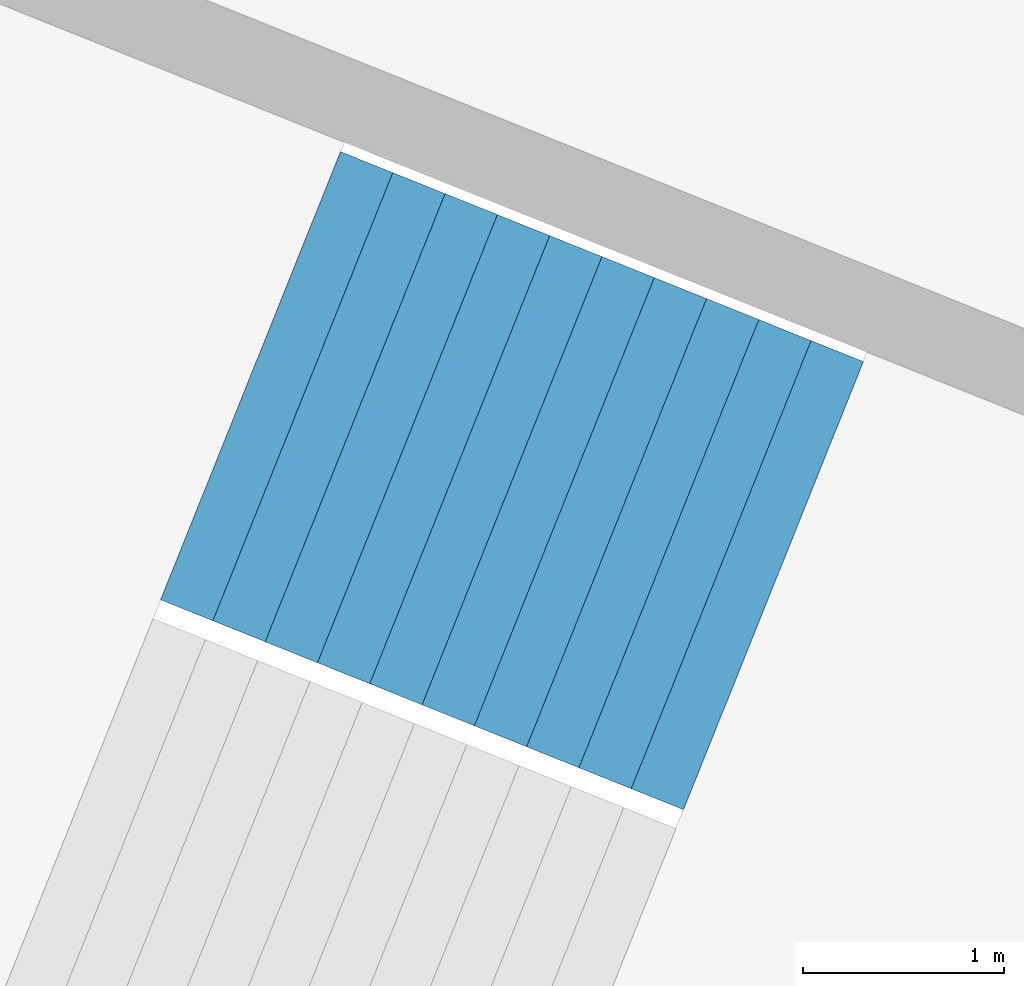
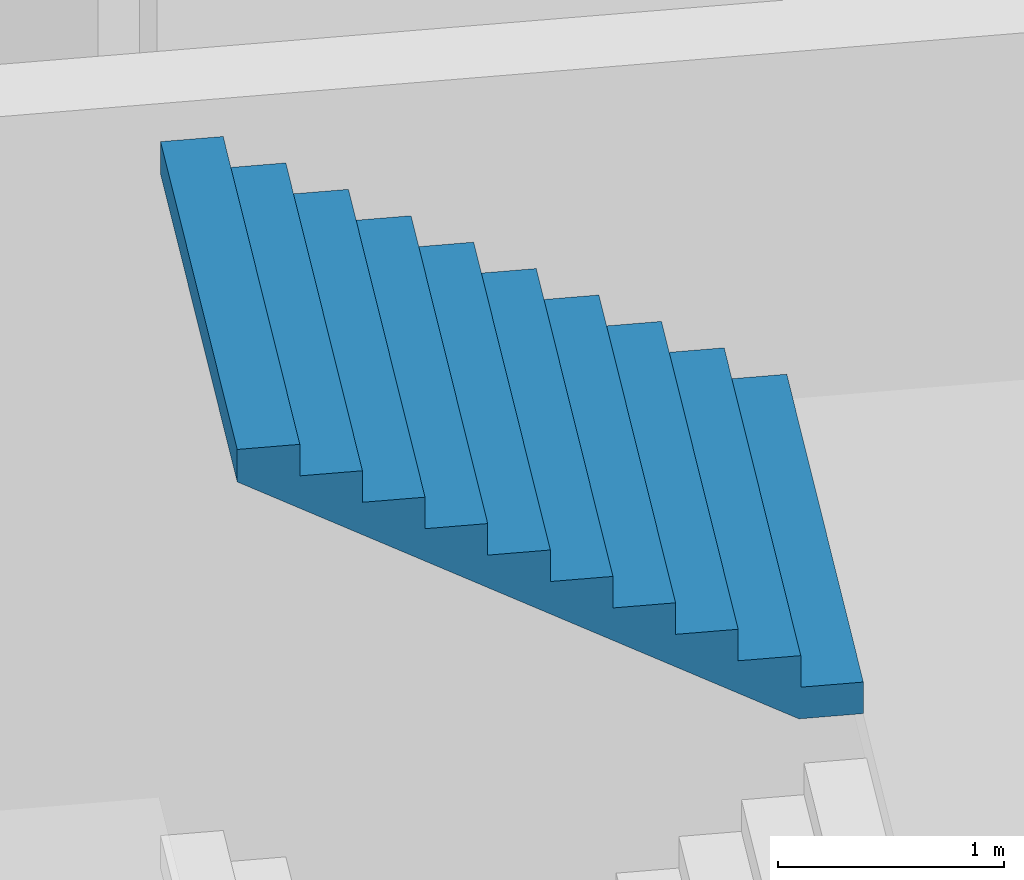
# One storey, part 52 of 73: 1 stair flight, 1 element without a shape of its own.
"""IFC4 building model written with IfcOpenShell, lengths in metres."""

from ifc_helpers import new_model, si_unit, direction, frame, origin, place, context, subcontext, project, spatial, triangles, material, type_object, element, aggregate, save


model = new_model("IFC4")

# Units and contexts
model_context = context("Model", 3, precision=1e-05, world=origin(), true_north=direction((0.0, 1.0)))
body_context = subcontext(model_context, "Body", "Model", "MODEL_VIEW")
ifc_project = project(units=[si_unit("LENGTHUNIT", "METRE"), si_unit("AREAUNIT", "SQUARE_METRE"), si_unit("VOLUMEUNIT", "CUBIC_METRE"), si_unit("PLANEANGLEUNIT", "RADIAN"), si_unit("MASSUNIT", "GRAM", prefix="KILO")], contexts=[model_context])

# Site, building, storey
site_placement = place(None, origin())
site = spatial("IfcSite", under=ifc_project, at=site_placement, CompositionType="ELEMENT")
building_placement = place(site_placement, origin())
building = spatial("IfcBuilding", under=site, at=building_placement, Name="Lantaw Convention Tower", CompositionType="ELEMENT")
storey_placement = place(building_placement, frame((0.0, 0.0, 14.5)))
storey = spatial("IfcBuildingStorey", under=building, at=storey_placement, Name="L02", CompositionType="ELEMENT", Elevation=14.5)

# Stair, stair flight
ifc_material = material(Name="Concrete C35/45", Category="concrete")
stair_type = type_object("IfcStairType", Name="Exit stair 2400 riser 170.45 in 4 flights", PredefinedType="HALF_TURN_STAIR", material=ifc_material)
stair_placement = place(storey_placement, origin())
stair = element("IfcStair", 1, at=stair_placement, inside=storey, type_object=stair_type, Name="Podium exit stair P12 L02", PredefinedType="HALF_TURN_STAIR")
stair_flight_type = type_object("IfcStairFlightType", Name="Stair flight 2400 riser 170.45", PredefinedType="STRAIGHT", material=ifc_material)
stair_flight_placement = place(storey_placement, frame((32.6162109375, -11.746337890625, 5.625), z_axis=(0.0, 0.0, 1.0), x_axis=(-0.928015818512, 0.372540790506, 0.0)))
stair_flight = element("IfcStairFlight", 2, at=stair_flight_placement, type_object=stair_flight_type, Name="P12 flight 4", NumberOfRisers=11, NumberOfTreads=10, PredefinedType="STRAIGHT", RiserHeight=0.170454545, TreadLength=0.28, context=body_context, shape_type="Tessellation", body=[
    triangles([(0.0, 1.199951171875, 0.0), (0.0, 1.199951171875, 0.170454545), (0.28, 1.199951171875, 0.0), (0.28, 1.199951171875, 0.170454545), (0.28, 1.199951171875, 0.34090909), (0.28827876332691904, 1.199951171875, 0.0), (0.28827876332691904, 1.199951171875, 0.34090909), (0.56, 1.199951171875, 0.16541471344266906), (0.56, 1.199951171875, 0.34090909), (0.56, 1.199951171875, 0.511363635), (0.8400000000000001, 1.199951171875, 0.335869258442669), (0.8400000000000001, 1.199951171875, 0.511363635), (0.8400000000000001, 1.199951171875, 0.68181818), (1.12, 1.199951171875, 0.506323803442669), (1.12, 1.199951171875, 0.68181818), (1.12, 1.199951171875, 0.8522727250000001), (1.4000000000000001, 1.199951171875, 0.676778348442669), (1.4000000000000001, 1.199951171875, 0.8522727250000001), (1.4000000000000001, 1.199951171875, 1.02272727), (1.6800000000000002, 1.199951171875, 0.847232893442669), (1.6800000000000002, 1.199951171875, 1.02272727), (1.6800000000000002, 1.199951171875, 1.193181815), (1.9600000000000002, 1.199951171875, 1.017687438442669), (1.9600000000000002, 1.199951171875, 1.193181815), (1.9600000000000002, 1.199951171875, 1.36363636), (2.24, 1.199951171875, 1.188141983442669), (2.24, 1.199951171875, 1.36363636), (2.24, 1.199951171875, 1.5340909050000002), (2.5200000000000005, 1.199951171875, 1.358596528442669), (2.5200000000000005, 1.199951171875, 1.5340909050000002), (2.5200000000000005, 1.199951171875, 1.7045454500000001), (2.8000000000000003, 1.199951171875, 1.529051073442669), (2.8000000000000003, 1.199951171875, 1.7045454500000001), (0.0, -1.199951171875, 0.0), (0.0, -1.199951171875, 0.170454545), (0.28, -1.199951171875, 0.0), (0.28, -1.199951171875, 0.170454545), (0.28, -1.199951171875, 0.34090909), (0.28827876332691904, -1.199951171875, 0.0), (0.28827876332691904, -1.199951171875, 0.34090909), (0.56, -1.199951171875, 0.16541471344266906), (0.56, -1.199951171875, 0.34090909), (0.56, -1.199951171875, 0.511363635), (0.8400000000000001, -1.199951171875, 0.335869258442669), (0.8400000000000001, -1.199951171875, 0.511363635), (0.8400000000000001, -1.199951171875, 0.68181818), (1.12, -1.199951171875, 0.506323803442669), (1.12, -1.199951171875, 0.68181818), (1.12, -1.199951171875, 0.8522727250000001), (1.4000000000000001, -1.199951171875, 0.676778348442669), (1.4000000000000001, -1.199951171875, 0.8522727250000001), (1.4000000000000001, -1.199951171875, 1.02272727), (1.6800000000000002, -1.199951171875, 0.847232893442669), (1.6800000000000002, -1.199951171875, 1.02272727), (1.6800000000000002, -1.199951171875, 1.193181815), (1.9600000000000002, -1.199951171875, 1.017687438442669), (1.9600000000000002, -1.199951171875, 1.193181815), (1.9600000000000002, -1.199951171875, 1.36363636), (2.24, -1.199951171875, 1.188141983442669), (2.24, -1.199951171875, 1.36363636), (2.24, -1.199951171875, 1.5340909050000002), (2.5200000000000005, -1.199951171875, 1.358596528442669), (2.5200000000000005, -1.199951171875, 1.5340909050000002), (2.5200000000000005, -1.199951171875, 1.7045454500000001), (2.8000000000000003, -1.199951171875, 1.529051073442669), (2.8000000000000003, -1.199951171875, 1.7045454500000001), (0.0, 0.239990234375, 0.170454545), (0.0, 0.239990234375, 0.0), (0.0, 0.1199951171875, 0.170454545), (0.0, 0.1199951171875, 0.0), (0.0, 0.0, 0.170454545), (0.0, 0.0, 0.0), (0.0, -0.1199951171875, 0.170454545), (0.0, -0.1199951171875, 0.0), (0.0, -0.239990234375, 0.170454545), (0.0, -0.239990234375, 0.0), (0.28, 0.239990234375, 0.34090909), (0.28, 0.239990234375, 0.170454545), (0.28, 0.1199951171875, 0.34090909), (0.28, 0.1199951171875, 0.170454545), (0.28, 0.0, 0.34090909), (0.28, 0.0, 0.170454545), (0.28, -0.1199951171875, 0.34090909), (0.28, -0.1199951171875, 0.170454545), (0.28, -0.239990234375, 0.34090909), (0.28, -0.239990234375, 0.170454545), (0.56, 0.239990234375, 0.511363635), (0.56, 0.239990234375, 0.34090909), (0.56, 0.1199951171875, 0.511363635), (0.56, 0.1199951171875, 0.34090909), (0.56, 0.0, 0.511363635), (0.56, 0.0, 0.34090909), (0.56, -0.1199951171875, 0.511363635), (0.56, -0.1199951171875, 0.34090909), (0.56, -0.239990234375, 0.511363635), (0.56, -0.239990234375, 0.34090909), (0.8400000000000001, 0.239990234375, 0.68181818), (0.8400000000000001, 0.239990234375, 0.511363635), (0.8400000000000001, 0.1199951171875, 0.68181818), (0.8400000000000001, 0.1199951171875, 0.511363635), (0.8400000000000001, 0.0, 0.68181818), (0.8400000000000001, 0.0, 0.511363635), (0.8400000000000001, -0.1199951171875, 0.68181818), (0.8400000000000001, -0.1199951171875, 0.511363635), (0.8400000000000001, -0.239990234375, 0.68181818), (0.8400000000000001, -0.239990234375, 0.511363635), (1.12, 0.239990234375, 0.8522727250000001), (1.12, 0.239990234375, 0.68181818), (1.12, 0.1199951171875, 0.8522727250000001), (1.12, 0.1199951171875, 0.68181818), (1.12, 0.0, 0.8522727250000001), (1.12, 0.0, 0.68181818), (1.12, -0.1199951171875, 0.8522727250000001), (1.12, -0.1199951171875, 0.68181818), (1.12, -0.239990234375, 0.8522727250000001), (1.12, -0.239990234375, 0.68181818), (1.4000000000000001, 0.239990234375, 1.02272727), (1.4000000000000001, 0.239990234375, 0.8522727250000001), (1.4000000000000001, 0.1199951171875, 1.02272727), (1.4000000000000001, 0.1199951171875, 0.8522727250000001), (1.4000000000000001, 0.0, 1.02272727), (1.4000000000000001, 0.0, 0.8522727250000001), (1.4000000000000001, -0.1199951171875, 1.02272727), (1.4000000000000001, -0.1199951171875, 0.8522727250000001), (1.4000000000000001, -0.239990234375, 1.02272727), (1.4000000000000001, -0.239990234375, 0.8522727250000001), (1.6800000000000002, 0.239990234375, 1.193181815), (1.6800000000000002, 0.239990234375, 1.02272727), (1.6800000000000002, 0.1199951171875, 1.193181815), (1.6800000000000002, 0.1199951171875, 1.02272727), (1.6800000000000002, 0.0, 1.193181815), (1.6800000000000002, 0.0, 1.02272727), (1.6800000000000002, -0.1199951171875, 1.193181815), (1.6800000000000002, -0.1199951171875, 1.02272727), (1.6800000000000002, -0.239990234375, 1.193181815), (1.6800000000000002, -0.239990234375, 1.02272727), (1.9600000000000002, 0.239990234375, 1.36363636), (1.9600000000000002, 0.239990234375, 1.193181815), (1.9600000000000002, 0.1199951171875, 1.36363636), (1.9600000000000002, 0.1199951171875, 1.193181815), (1.9600000000000002, 0.0, 1.36363636), (1.9600000000000002, 0.0, 1.193181815), (1.9600000000000002, -0.1199951171875, 1.36363636), (1.9600000000000002, -0.1199951171875, 1.193181815), (1.9600000000000002, -0.239990234375, 1.36363636), (1.9600000000000002, -0.239990234375, 1.193181815), (2.24, 0.239990234375, 1.5340909050000002), (2.24, 0.239990234375, 1.36363636), (2.24, 0.1199951171875, 1.5340909050000002), (2.24, 0.1199951171875, 1.36363636), (2.24, 0.0, 1.5340909050000002), (2.24, 0.0, 1.36363636), (2.24, -0.1199951171875, 1.5340909050000002), (2.24, -0.1199951171875, 1.36363636), (2.24, -0.239990234375, 1.5340909050000002), (2.24, -0.239990234375, 1.36363636), (2.5200000000000005, 0.239990234375, 1.7045454500000001), (2.5200000000000005, 0.239990234375, 1.5340909050000002), (2.5200000000000005, 0.1199951171875, 1.7045454500000001), (2.5200000000000005, 0.1199951171875, 1.5340909050000002), (2.5200000000000005, 0.0, 1.7045454500000001), (2.5200000000000005, 0.0, 1.5340909050000002), (2.5200000000000005, -0.1199951171875, 1.7045454500000001), (2.5200000000000005, -0.1199951171875, 1.5340909050000002), (2.5200000000000005, -0.239990234375, 1.7045454500000001), (2.5200000000000005, -0.239990234375, 1.5340909050000002), (0.28827876332691904, 0.239990234375, 0.34090909), (0.28827876332691904, 0.1199951171875, 0.34090909), (0.28827876332691904, 0.0, 0.34090909), (0.28827876332691904, -0.1199951171875, 0.34090909), (0.28827876332691904, -0.239990234375, 0.34090909), (2.8000000000000003, 0.239990234375, 1.7045454500000001), (2.8000000000000003, 0.1199951171875, 1.7045454500000001), (2.8000000000000003, 0.0, 1.7045454500000001), (2.8000000000000003, -0.1199951171875, 1.7045454500000001), (2.8000000000000003, -0.239990234375, 1.7045454500000001), (2.8000000000000003, 0.239990234375, 1.5290510734426692), (2.8000000000000003, 0.1199951171875, 1.5290510734426692), (2.8000000000000003, 0.0, 1.5290510734426692), (2.8000000000000003, -0.1199951171875, 1.5290510734426692), (2.8000000000000003, -0.239990234375, 1.5290510734426692), (2.5200000000000005, 0.239990234375, 1.358596528442669), (2.5200000000000005, 0.1199951171875, 1.358596528442669), (2.5200000000000005, 0.0, 1.358596528442669), (2.5200000000000005, -0.1199951171875, 1.358596528442669), (2.5200000000000005, -0.239990234375, 1.358596528442669), (2.24, 0.239990234375, 1.188141983442669), (2.24, 0.1199951171875, 1.188141983442669), (2.24, 0.0, 1.188141983442669), (2.24, -0.1199951171875, 1.188141983442669), (2.24, -0.239990234375, 1.188141983442669), (1.9600000000000002, 0.239990234375, 1.017687438442669), (1.9600000000000002, 0.1199951171875, 1.017687438442669), (1.9600000000000002, 0.0, 1.017687438442669), (1.9600000000000002, -0.1199951171875, 1.017687438442669), (1.9600000000000002, -0.239990234375, 1.017687438442669), (1.6800000000000002, 0.239990234375, 0.847232893442669), (1.6800000000000002, 0.1199951171875, 0.847232893442669), (1.6800000000000002, 0.0, 0.847232893442669), (1.6800000000000002, -0.1199951171875, 0.847232893442669), (1.6800000000000002, -0.239990234375, 0.847232893442669), (1.4000000000000001, 0.239990234375, 0.676778348442669), (1.4000000000000001, 0.1199951171875, 0.676778348442669), (1.4000000000000001, 0.0, 0.676778348442669), (1.4000000000000001, -0.1199951171875, 0.676778348442669), (1.4000000000000001, -0.239990234375, 0.676778348442669), (1.12, 0.239990234375, 0.506323803442669), (1.12, 0.1199951171875, 0.506323803442669), (1.12, 0.0, 0.506323803442669), (1.12, -0.1199951171875, 0.506323803442669), (1.12, -0.239990234375, 0.506323803442669), (0.8400000000000001, 0.239990234375, 0.335869258442669), (0.8400000000000001, 0.1199951171875, 0.335869258442669), (0.8400000000000001, 0.0, 0.335869258442669), (0.8400000000000001, -0.1199951171875, 0.335869258442669), (0.8400000000000001, -0.239990234375, 0.335869258442669), (0.56, 0.239990234375, 0.16541471344266906), (0.56, 0.1199951171875, 0.16541471344266906), (0.56, 0.0, 0.16541471344266906), (0.56, -0.1199951171875, 0.16541471344266906), (0.56, -0.239990234375, 0.16541471344266906), (0.28827876332691904, 0.239990234375, 0.0), (0.28827876332691904, 0.1199951171875, 0.0), (0.28827876332691904, 0.0, 0.0), (0.28827876332691904, -0.1199951171875, 0.0), (0.28827876332691904, -0.239990234375, 0.0), (0.28, 0.239990234375, 0.0), (0.28, 0.1199951171875, 0.0), (0.28, 0.0, 0.0), (0.28, -0.1199951171875, 0.0), (0.28, -0.239990234375, 0.0)], [[1, 4, 3], [1, 2, 4], [3, 4, 6], [4, 7, 6], [4, 5, 7], [6, 9, 8], [6, 7, 9], [8, 9, 11], [9, 12, 11], [9, 10, 12], [11, 12, 14], [12, 15, 14], [12, 13, 15], [14, 15, 17], [15, 18, 17], [15, 16, 18], [17, 18, 20], [18, 21, 20], [18, 19, 21], [20, 21, 23], [21, 24, 23], [21, 22, 24], [23, 24, 26], [24, 27, 26], [24, 25, 27], [26, 27, 29], [27, 30, 29], [27, 28, 30], [29, 30, 32], [30, 33, 32], [30, 31, 33], [34, 36, 37], [34, 37, 35], [36, 39, 37], [37, 39, 40], [37, 40, 38], [39, 41, 42], [39, 42, 40], [41, 44, 42], [42, 44, 45], [42, 45, 43], [44, 47, 45], [45, 47, 48], [45, 48, 46], [47, 50, 48], [48, 50, 51], [48, 51, 49], [50, 53, 51], [51, 53, 54], [51, 54, 52], [53, 56, 54], [54, 56, 57], [54, 57, 55], [56, 59, 57], [57, 59, 60], [57, 60, 58], [59, 62, 60], [60, 62, 63], [60, 63, 61], [62, 65, 63], [63, 65, 66], [63, 66, 64], [1, 67, 2], [1, 68, 67], [68, 69, 67], [68, 70, 69], [70, 71, 69], [70, 72, 71], [72, 73, 71], [72, 74, 73], [74, 75, 73], [74, 76, 75], [76, 35, 75], [76, 34, 35], [4, 77, 5], [4, 78, 77], [78, 79, 77], [78, 80, 79], [80, 81, 79], [80, 82, 81], [82, 83, 81], [82, 84, 83], [84, 85, 83], [84, 86, 85], [86, 38, 85], [86, 37, 38], [9, 87, 10], [9, 88, 87], [88, 89, 87], [88, 90, 89], [90, 91, 89], [90, 92, 91], [92, 93, 91], [92, 94, 93], [94, 95, 93], [94, 96, 95], [96, 43, 95], [96, 42, 43], [12, 97, 13], [12, 98, 97], [98, 99, 97], [98, 100, 99], [100, 101, 99], [100, 102, 101], [102, 103, 101], [102, 104, 103], [104, 105, 103], [104, 106, 105], [106, 46, 105], [106, 45, 46], [15, 107, 16], [15, 108, 107], [108, 109, 107], [108, 110, 109], [110, 111, 109], [110, 112, 111], [112, 113, 111], [112, 114, 113], [114, 115, 113], [114, 116, 115], [116, 49, 115], [116, 48, 49], [18, 117, 19], [18, 118, 117], [118, 119, 117], [118, 120, 119], [120, 121, 119], [120, 122, 121], [122, 123, 121], [122, 124, 123], [124, 125, 123], [124, 126, 125], [126, 52, 125], [126, 51, 52], [21, 127, 22], [21, 128, 127], [128, 129, 127], [128, 130, 129], [130, 131, 129], [130, 132, 131], [132, 133, 131], [132, 134, 133], [134, 135, 133], [134, 136, 135], [136, 55, 135], [136, 54, 55], [24, 137, 25], [24, 138, 137], [138, 139, 137], [138, 140, 139], [140, 141, 139], [140, 142, 141], [142, 143, 141], [142, 144, 143], [144, 145, 143], [144, 146, 145], [146, 58, 145], [146, 57, 58], [27, 147, 28], [27, 148, 147], [148, 149, 147], [148, 150, 149], [150, 151, 149], [150, 152, 151], [152, 153, 151], [152, 154, 153], [154, 155, 153], [154, 156, 155], [156, 61, 155], [156, 60, 61], [30, 157, 31], [30, 158, 157], [158, 159, 157], [158, 160, 159], [160, 161, 159], [160, 162, 161], [162, 163, 161], [162, 164, 163], [164, 165, 163], [164, 166, 165], [166, 64, 165], [166, 63, 64], [2, 78, 4], [2, 67, 78], [67, 80, 78], [67, 69, 80], [69, 82, 80], [69, 71, 82], [71, 84, 82], [71, 73, 84], [73, 86, 84], [73, 75, 86], [75, 37, 86], [75, 35, 37], [5, 167, 7], [5, 77, 167], [77, 168, 167], [77, 79, 168], [79, 169, 168], [79, 81, 169], [81, 170, 169], [81, 83, 170], [83, 171, 170], [83, 85, 171], [85, 40, 171], [85, 38, 40], [7, 88, 9], [7, 167, 88], [167, 90, 88], [167, 168, 90], [168, 92, 90], [168, 169, 92], [169, 94, 92], [169, 170, 94], [170, 96, 94], [170, 171, 96], [171, 42, 96], [171, 40, 42], [10, 98, 12], [10, 87, 98], [87, 100, 98], [87, 89, 100], [89, 102, 100], [89, 91, 102], [91, 104, 102], [91, 93, 104], [93, 106, 104], [93, 95, 106], [95, 45, 106], [95, 43, 45], [13, 108, 15], [13, 97, 108], [97, 110, 108], [97, 99, 110], [99, 112, 110], [99, 101, 112], [101, 114, 112], [101, 103, 114], [103, 116, 114], [103, 105, 116], [105, 48, 116], [105, 46, 48], [16, 118, 18], [16, 107, 118], [107, 120, 118], [107, 109, 120], [109, 122, 120], [109, 111, 122], [111, 124, 122], [111, 113, 124], [113, 126, 124], [113, 115, 126], [115, 51, 126], [115, 49, 51], [19, 128, 21], [19, 117, 128], [117, 130, 128], [117, 119, 130], [119, 132, 130], [119, 121, 132], [121, 134, 132], [121, 123, 134], [123, 136, 134], [123, 125, 136], [125, 54, 136], [125, 52, 54], [22, 138, 24], [22, 127, 138], [127, 140, 138], [127, 129, 140], [129, 142, 140], [129, 131, 142], [131, 144, 142], [131, 133, 144], [133, 146, 144], [133, 135, 146], [135, 57, 146], [135, 55, 57], [25, 148, 27], [25, 137, 148], [137, 150, 148], [137, 139, 150], [139, 152, 150], [139, 141, 152], [141, 154, 152], [141, 143, 154], [143, 156, 154], [143, 145, 156], [145, 60, 156], [145, 58, 60], [28, 158, 30], [28, 147, 158], [147, 160, 158], [147, 149, 160], [149, 162, 160], [149, 151, 162], [151, 164, 162], [151, 153, 164], [153, 166, 164], [153, 155, 166], [155, 63, 166], [155, 61, 63], [31, 172, 33], [31, 157, 172], [157, 173, 172], [157, 159, 173], [159, 174, 173], [159, 161, 174], [161, 175, 174], [161, 163, 175], [163, 176, 175], [163, 165, 176], [165, 66, 176], [165, 64, 66], [33, 177, 32], [33, 172, 177], [172, 178, 177], [172, 173, 178], [173, 179, 178], [173, 174, 179], [174, 180, 179], [174, 175, 180], [175, 181, 180], [175, 176, 181], [176, 65, 181], [176, 66, 65], [32, 182, 29], [32, 177, 182], [177, 183, 182], [177, 178, 183], [178, 184, 183], [178, 179, 184], [179, 185, 184], [179, 180, 185], [180, 186, 185], [180, 181, 186], [181, 62, 186], [181, 65, 62], [29, 187, 26], [29, 182, 187], [182, 188, 187], [182, 183, 188], [183, 189, 188], [183, 184, 189], [184, 190, 189], [184, 185, 190], [185, 191, 190], [185, 186, 191], [186, 59, 191], [186, 62, 59], [26, 192, 23], [26, 187, 192], [187, 193, 192], [187, 188, 193], [188, 194, 193], [188, 189, 194], [189, 195, 194], [189, 190, 195], [190, 196, 195], [190, 191, 196], [191, 56, 196], [191, 59, 56], [23, 197, 20], [23, 192, 197], [192, 198, 197], [192, 193, 198], [193, 199, 198], [193, 194, 199], [194, 200, 199], [194, 195, 200], [195, 201, 200], [195, 196, 201], [196, 53, 201], [196, 56, 53], [20, 202, 17], [20, 197, 202], [197, 203, 202], [197, 198, 203], [198, 204, 203], [198, 199, 204], [199, 205, 204], [199, 200, 205], [200, 206, 205], [200, 201, 206], [201, 50, 206], [201, 53, 50], [17, 207, 14], [17, 202, 207], [202, 208, 207], [202, 203, 208], [203, 209, 208], [203, 204, 209], [204, 210, 209], [204, 205, 210], [205, 211, 210], [205, 206, 211], [206, 47, 211], [206, 50, 47], [14, 212, 11], [14, 207, 212], [207, 213, 212], [207, 208, 213], [208, 214, 213], [208, 209, 214], [209, 215, 214], [209, 210, 215], [210, 216, 215], [210, 211, 216], [211, 44, 216], [211, 47, 44], [11, 217, 8], [11, 212, 217], [212, 218, 217], [212, 213, 218], [213, 219, 218], [213, 214, 219], [214, 220, 219], [214, 215, 220], [215, 221, 220], [215, 216, 221], [216, 41, 221], [216, 44, 41], [8, 222, 6], [8, 217, 222], [217, 223, 222], [217, 218, 223], [218, 224, 223], [218, 219, 224], [219, 225, 224], [219, 220, 225], [220, 226, 225], [220, 221, 226], [221, 39, 226], [221, 41, 39], [6, 227, 3], [6, 222, 227], [222, 228, 227], [222, 223, 228], [223, 229, 228], [223, 224, 229], [224, 230, 229], [224, 225, 230], [225, 231, 230], [225, 226, 231], [226, 36, 231], [226, 39, 36], [3, 68, 1], [3, 227, 68], [227, 70, 68], [227, 228, 70], [228, 72, 70], [228, 229, 72], [229, 74, 72], [229, 230, 74], [230, 76, 74], [230, 231, 76], [231, 34, 76], [231, 36, 34]], closed=True),
])
aggregate(stair, [stair_flight])

save(model, "model.ifc")
